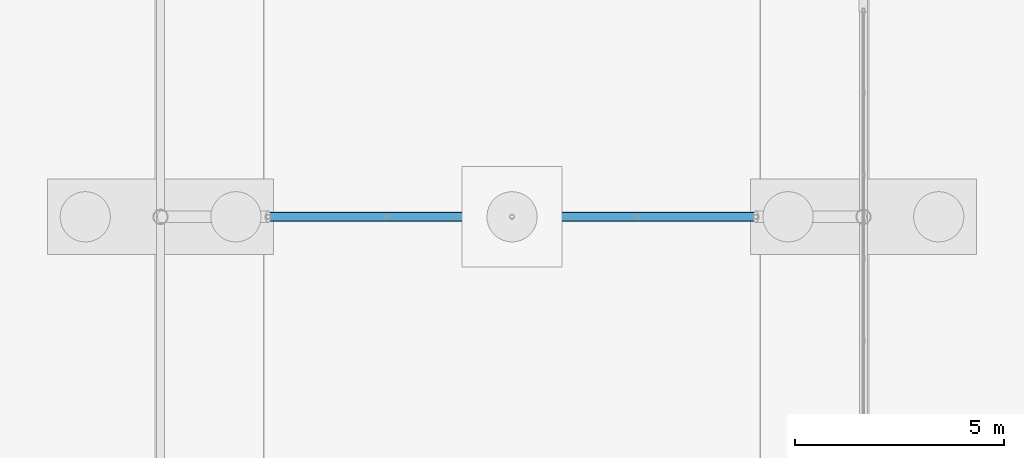
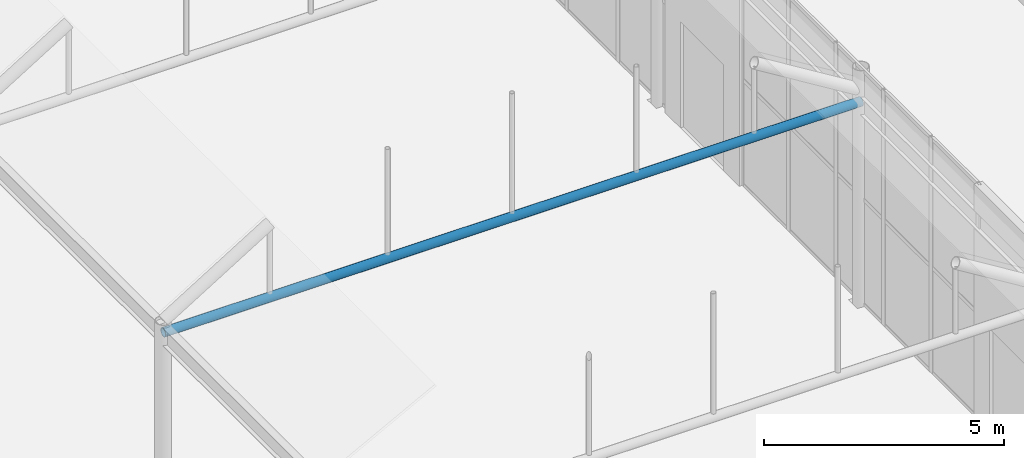
# One storey, part 107 of 212: 1 beam.
"""IFC4 building model written with IfcOpenShell, lengths in metres."""

from ifc_helpers import new_model, si_unit, direction, frame, origin, origin_2d, place, context, subcontext, project, spatial, hollow_circle, extrude, material, material_profile, profile_set, type_object, element, save


model = new_model("IFC4")

# Units and contexts
model_context = context("Model", 3, precision=1e-05, world=origin(), true_north=direction((0.0, 1.0)))
body_context = subcontext(model_context, "Body", "Model", "MODEL_VIEW")
ifc_project = project(units=[si_unit("LENGTHUNIT", "METRE"), si_unit("AREAUNIT", "SQUARE_METRE"), si_unit("VOLUMEUNIT", "CUBIC_METRE"), si_unit("PLANEANGLEUNIT", "RADIAN"), si_unit("MASSUNIT", "GRAM", prefix="KILO")], contexts=[model_context])

# Site, building, storey
site_placement = place(None, origin())
site = spatial("IfcSite", under=ifc_project, at=site_placement, CompositionType="ELEMENT")
building_placement = place(site_placement, origin())
building = spatial("IfcBuilding", under=site, at=building_placement, Name="Catenary Quay Ferry Terminal", CompositionType="ELEMENT")
storey_placement = place(building_placement, origin())
storey = spatial("IfcBuildingStorey", under=building, at=storey_placement, Name="L00", CompositionType="ELEMENT", Elevation=0.0)

# Beam
ifc_material = material(Name="Steel S355", Category="steel")
ifc_material_profile = material_profile(ifc_material, hollow_circle(Radius=0.109619140625, WallThickness=0.010009765625, at=origin_2d()), Name="CHS 219.1x10")
ifc_profile_set = profile_set([ifc_material_profile], Name="Steel S355")
beam_type = type_object("IfcBeamType", Name="TB2 CHS 219.1x10", PredefinedType="BEAM", material=ifc_profile_set)
beam_placement = place(storey_placement, frame((8.39990234375, 126.0, 5.10009765625), z_axis=(1.0, 0.0, 0.0), x_axis=(0.0, 1.0, 0.0)))
element("IfcBeam", 1, at=beam_placement, inside=storey, type_object=beam_type, Name="tie beam FC-08", PredefinedType="BEAM", context=body_context, shape_type="SweptSolid", body=[
    extrude(hollow_circle(Radius=0.109619140625, WallThickness=0.010009765625, at=origin_2d()), origin(), (0.0, 0.0, 1.0), 16.800048828125),
])

save(model, "model.ifc")
